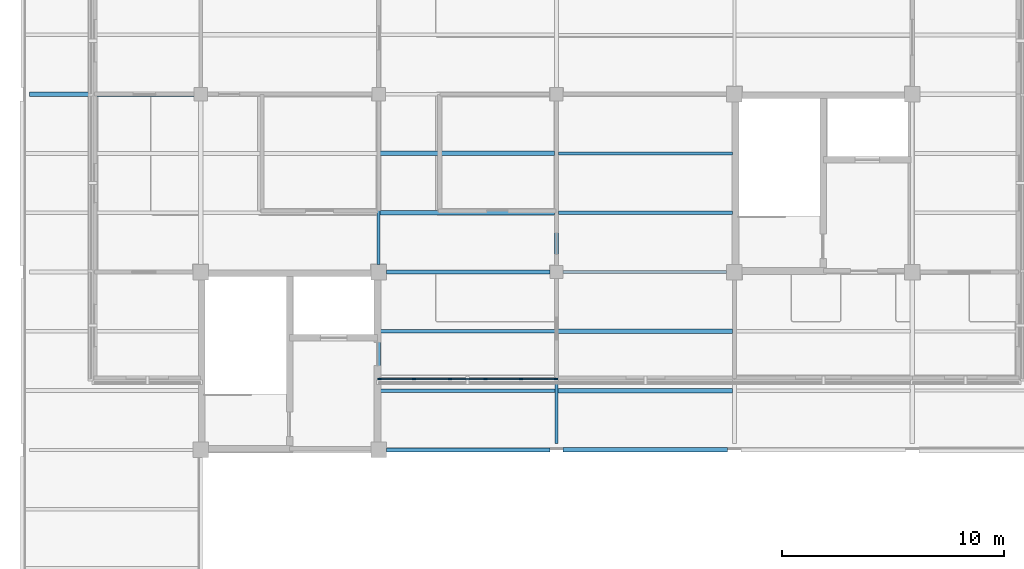
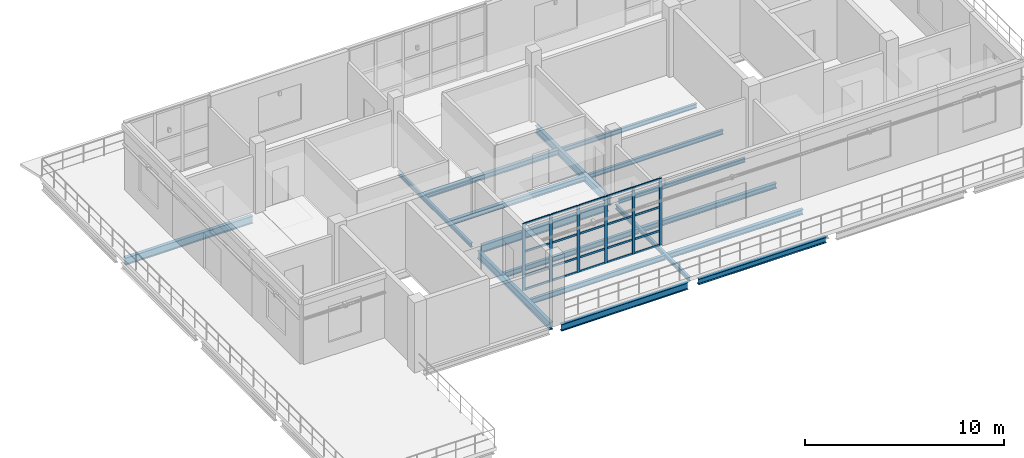
# One storey, part 3 of 24: 26 members, 17 beams, 1 element without a shape of its own.
"""IFC4 building model written with IfcOpenShell, lengths in metres."""

from ifc_helpers import new_model, si_unit, derived_unit, direction, frame, origin, origin_2d, place, context, subcontext, project, spatial, rectangle, i_section, extrude, material, layer, layer_set, material_profile, profile_set, type_object, element, aggregate, save


model = new_model("IFC4")

# Units and contexts
model_context = context("Model", 3, precision=1e-05, world=origin(), true_north=direction((0.0, 1.0)))
body_context = subcontext(model_context, "Body", "Model", "MODEL_VIEW")
ifc_project = project(units=[si_unit("LENGTHUNIT", "METRE"), si_unit("AREAUNIT", "SQUARE_METRE"), si_unit("VOLUMEUNIT", "CUBIC_METRE"), si_unit("PLANEANGLEUNIT", "RADIAN"), si_unit("MASSUNIT", "GRAM", prefix="KILO"), derived_unit("THERMALTRANSMITTANCEUNIT", [(si_unit("MASSUNIT", "GRAM", prefix="KILO"), 1), (si_unit("TIMEUNIT", "SECOND"), -3), (si_unit("THERMODYNAMICTEMPERATUREUNIT", "KELVIN"), -1)])], contexts=[model_context])

# Site, building, storey
site_placement = place(None, origin())
site = spatial("IfcSite", under=ifc_project, at=site_placement, CompositionType="ELEMENT")
building_placement = place(site_placement, origin())
building = spatial("IfcBuilding", under=site, at=building_placement, Name="Veyamyaing Civic Hall", CompositionType="ELEMENT")
storey_placement = place(building_placement, frame((0.0, 0.0, 25.739990234375)))
storey = spatial("IfcBuildingStorey", under=building, at=storey_placement, Name="L06", CompositionType="ELEMENT", Elevation=25.739990234375)

# Beams
ifc_material_1 = material(Name="Steel ASTM A992", Category="steel")
ifc_material_profile_1 = material_profile(ifc_material_1, i_section(OverallWidth=0.19189453125, OverallDepth=0.462890625, WebThickness=0.010498046875, FlangeThickness=0.017578125, FilletRadius=0.010009765625, at=origin_2d()), Name="W460X89")
ifc_profile_set_1 = profile_set([ifc_material_profile_1], Name="Steel ASTM A992")
beam_type_1 = type_object("IfcBeamType", Name="B-08", PredefinedType="BEAM", material=ifc_profile_set_1)
beam_1_placement = place(storey_placement, frame((24.0, 96.300048828125, -0.45654296875), z_axis=(0.0, 1.0, 0.0), x_axis=(-1.0, 0.0, 0.0)))
element("IfcBeam", 1, at=beam_1_placement, inside=storey, type_object=beam_type_1, Name="Girder B-08 L06 Grid 4 N-P", PredefinedType="BEAM", context=body_context, shape_type="SweptSolid", body=[
    extrude(i_section(OverallWidth=0.19189453125, OverallDepth=0.462890625, WebThickness=0.010498046875, FlangeThickness=0.017578125, FilletRadius=0.010009765625, at=origin_2d()), origin(), (0.0, 0.0, 1.0), 7.39990234375),
])
ifc_material_profile_2 = material_profile(ifc_material_1, i_section(OverallWidth=0.18994140625, OverallDepth=0.45703125, WebThickness=0.009033203125, FlangeThickness=0.014404296875, FilletRadius=0.010009765625, at=origin_2d()), Name="W460X74")
ifc_profile_set_2 = profile_set([ifc_material_profile_2], Name="Steel ASTM A992")
beam_type_2 = type_object("IfcBeamType", Name="B-09", PredefinedType="BEAM", material=ifc_profile_set_2)
beam_2_placement = place(storey_placement, frame((0.300048828125, 104.0, -0.45849609375), z_axis=(1.0, 0.0, 0.0), x_axis=(0.0, 1.0, 0.0)))
element("IfcBeam", 2, at=beam_2_placement, inside=storey, type_object=beam_type_2, Name="Girder B-09 L06 Grid P 1-2", PredefinedType="BEAM", context=body_context, shape_type="SweptSolid", body=[
    extrude(i_section(OverallWidth=0.18994140625, OverallDepth=0.45703125, WebThickness=0.009033203125, FlangeThickness=0.014404296875, FilletRadius=0.010009765625, at=origin_2d()), origin(), (0.0, 0.0, 1.0), 7.39990234375),
])
beam_3_placement = place(storey_placement, frame((16.0, 88.35009765625, -0.45849609375), z_axis=(0.0, 1.0, 0.0), x_axis=(-1.0, 0.0, 0.0)))
element("IfcBeam", 3, at=beam_3_placement, inside=storey, type_object=beam_type_2, Name="Girder B-09 L06 Grid 3 M-N", PredefinedType="BEAM", context=body_context, shape_type="SweptSolid", body=[
    extrude(i_section(OverallWidth=0.18994140625, OverallDepth=0.45703125, WebThickness=0.009033203125, FlangeThickness=0.014404296875, FilletRadius=0.010009765625, at=origin_2d()), origin(), (0.0, 0.0, 1.0), 7.2998046875),
])
ifc_material_profile_3 = material_profile(ifc_material_1, i_section(OverallWidth=0.179931640625, OverallDepth=0.4130859375, WebThickness=0.009765625, FlangeThickness=0.01611328125, FilletRadius=0.010009765625, at=origin_2d()), Name="W410X74")
ifc_profile_set_3 = profile_set([ifc_material_profile_3], Name="Steel ASTM A992")
beam_type_3 = type_object("IfcBeamType", Name="B-10", PredefinedType="SPANDREL", material=ifc_profile_set_3)
beam_4_placement = place(storey_placement, frame((16.35009765625, 88.0, -0.4365234375), z_axis=(1.0, 0.0, 0.0), x_axis=(0.0, 1.0, 0.0)))
element("IfcBeam", 4, at=beam_4_placement, inside=storey, type_object=beam_type_3, Name="Girder B-10 L06 Grid M 3-4", PredefinedType="SPANDREL", context=body_context, shape_type="SweptSolid", body=[
    extrude(i_section(OverallWidth=0.179931640625, OverallDepth=0.4130859375, WebThickness=0.009765625, FlangeThickness=0.01611328125, FilletRadius=0.010009765625, at=origin_2d()), origin(), (0.0, 0.0, 1.0), 7.349853515625),
])
ifc_material_profile_4 = material_profile(ifc_material_1, i_section(OverallWidth=0.2041015625, OverallDepth=0.35009765625, WebThickness=0.0078125, FlangeThickness=0.01513671875, FilletRadius=0.010009765625, at=origin_2d()), Name="W360X72")
ifc_profile_set_4 = profile_set([ifc_material_profile_4], Name="Steel ASTM A992")
beam_type_4 = type_object("IfcBeamType", Name="B-11", PredefinedType="SPANDREL", material=ifc_profile_set_4)
beam_5_placement = place(storey_placement, frame((24.300048828125, 88.0, -0.405029296875), z_axis=(1.0, 0.0, 0.0), x_axis=(0.0, 1.0, 0.0)))
element("IfcBeam", 5, at=beam_5_placement, inside=storey, type_object=beam_type_4, Name="Girder B-11 L06 Grid M 4-5", PredefinedType="SPANDREL", context=body_context, shape_type="SweptSolid", body=[
    extrude(i_section(OverallWidth=0.2041015625, OverallDepth=0.35009765625, WebThickness=0.0078125, FlangeThickness=0.01513671875, FilletRadius=0.010009765625, at=origin_2d()), origin(), (0.0, 0.0, 1.0), 7.39990234375),
])
ifc_material_profile_5 = material_profile(ifc_material_1, i_section(OverallWidth=0.14599609375, OverallDepth=0.258056640625, WebThickness=0.006103515625, FlangeThickness=0.009033203125, FilletRadius=0.010009765625, at=origin_2d()), Name="W250X33")
ifc_profile_set_5 = profile_set([ifc_material_profile_5], Name="Steel ASTM A992")
beam_type_5 = type_object("IfcBeamType", Name="B-12", PredefinedType="BEAM", material=ifc_profile_set_5)
for number, where, z_axis, x_axis, name in (
    (6, (24.300048828125, 96.0, -0.35400390625), (1.0, 0.0, 0.0), (0.0, 1.0, 0.0), "Girder B-12 L06 Grid N 4-5"),
    (7, (16.0, 96.35009765625, -0.35400390625), (0.0, 1.0, 0.0), (-1.0, 0.0, 0.0), "Girder B-12 L06 Grid 3 N-P"),
):
    element("IfcBeam", number, at=place(storey_placement, frame(where, z_axis=z_axis, x_axis=x_axis)), inside=storey, type_object=beam_type_5, Name=name, PredefinedType="BEAM", context=body_context, shape_type="SweptSolid", body=[
        extrude(i_section(OverallWidth=0.14599609375, OverallDepth=0.258056640625, WebThickness=0.006103515625, FlangeThickness=0.009033203125, FilletRadius=0.010009765625, at=origin_2d()), origin(), (0.0, 0.0, 1.0), 7.349853515625),
    ])
beam_6_placement = place(storey_placement, frame((24.0, 88.300048828125, -0.35888671875), z_axis=(0.0, 1.0, 0.0), x_axis=(-1.0, 0.0, 0.0)))
element("IfcBeam", 8, at=beam_6_placement, inside=storey, type_object=beam_type_5, Name="Girder B-12 L06 Grid 4 M-N", PredefinedType="BEAM", context=body_context, shape_type="SweptSolid", body=[
    extrude(i_section(OverallWidth=0.14599609375, OverallDepth=0.258056640625, WebThickness=0.006103515625, FlangeThickness=0.009033203125, FilletRadius=0.010009765625, at=origin_2d()), origin(), (0.0, 0.0, 1.0), 7.39990234375),
])
ifc_material_profile_6 = material_profile(ifc_material_1, i_section(OverallWidth=0.194091796875, OverallDepth=0.468994140625, WebThickness=0.0126953125, FlangeThickness=0.0205078125, FilletRadius=0.010009765625, at=origin_2d()), Name="W460X106")
ifc_profile_set_6 = profile_set([ifc_material_profile_6], Name="Steel ASTM A992")
beam_type_6 = type_object("IfcBeamType", Name="B-18", PredefinedType="BEAM", material=ifc_profile_set_6)
beam_7_placement = place(storey_placement, frame((16.35009765625, 96.0, -0.45947265625), z_axis=(1.0, 0.0, 0.0), x_axis=(0.0, 1.0, 0.0)))
element("IfcBeam", 9, at=beam_7_placement, inside=storey, type_object=beam_type_6, Name="Girder B-18 L06 Grid N 3-4", PredefinedType="BEAM", context=body_context, shape_type="SweptSolid", body=[
    extrude(i_section(OverallWidth=0.194091796875, OverallDepth=0.468994140625, WebThickness=0.0126953125, FlangeThickness=0.0205078125, FilletRadius=0.010009765625, at=origin_2d()), origin(), (0.0, 0.0, 1.0), 7.349853515625),
])

# Curtain wall, members
ifc_material_2 = material(Name="Anodised aluminium 6063-T6", Category="aluminium")
ifc_layer = layer(ifc_material_2, 0.159912109375, Name="Anodised aluminium 6063-T6")
ifc_layer_set = layer_set([ifc_layer], Name="Anodised aluminium 6063-T6")
curtain_wall_type = type_object("IfcCurtainWallType", Name="CW-05", PredefinedType="NOTDEFINED", material=ifc_layer_set)
curtain_wall_placement = place(storey_placement, origin())
curtain_wall = element("IfcCurtainWall", 10, at=curtain_wall_placement, inside=storey, type_object=curtain_wall_type, Name="Executive terrace curtain wall CW-05 L06-NW-S-2", PredefinedType="NOTDEFINED")
ifc_material_profile_7 = material_profile(ifc_material_2, rectangle(XDim=0.06494140625, YDim=0.159912109375, at=origin_2d()), Name="ALU-MUL-65X160")
ifc_profile_set_7 = profile_set([ifc_material_profile_7], Name="Anodised aluminium 6063-T6")
member_type_1 = type_object("IfcMemberType", Name="CWM-01", PredefinedType="MULLION", material=ifc_profile_set_7)
member_1_placement = place(storey_placement, frame((16.032470703125, 91.199951171875, 0.0), z_axis=(0.0, 0.0, 1.0), x_axis=(0.0, 1.0, 0.0)))
member_1 = element("IfcMember", 11, at=member_1_placement, type_object=member_type_1, Name="CW-05 mullion 1", PredefinedType="MULLION", context=body_context, shape_type="SweptSolid", body=[
    extrude(rectangle(XDim=0.06494140625, YDim=0.159912109375, at=origin_2d()), origin(), (0.0, 0.0, 1.0), 4.090087890625),
])
member_2_placement = place(storey_placement, frame((17.60009765625, 91.199951171875, 0.0), z_axis=(0.0, 0.0, 1.0), x_axis=(0.0, 1.0, 0.0)))
member_2 = element("IfcMember", 12, at=member_2_placement, type_object=member_type_1, Name="CW-05 mullion 2", PredefinedType="MULLION", context=body_context, shape_type="SweptSolid", body=[
    extrude(rectangle(XDim=0.06494140625, YDim=0.159912109375, at=origin_2d()), origin(), (0.0, 0.0, 1.0), 4.090087890625),
])
member_3_placement = place(storey_placement, frame((19.199951171875, 91.199951171875, 0.0), z_axis=(0.0, 0.0, 1.0), x_axis=(0.0, 1.0, 0.0)))
member_3 = element("IfcMember", 13, at=member_3_placement, type_object=member_type_1, Name="CW-05 mullion 3", PredefinedType="MULLION", context=body_context, shape_type="SweptSolid", body=[
    extrude(rectangle(XDim=0.06494140625, YDim=0.159912109375, at=origin_2d()), origin(), (0.0, 0.0, 1.0), 4.090087890625),
])
member_4_placement = place(storey_placement, frame((20.800048828125, 91.199951171875, 0.0), z_axis=(0.0, 0.0, 1.0), x_axis=(0.0, 1.0, 0.0)))
member_4 = element("IfcMember", 14, at=member_4_placement, type_object=member_type_1, Name="CW-05 mullion 4", PredefinedType="MULLION", context=body_context, shape_type="SweptSolid", body=[
    extrude(rectangle(XDim=0.06494140625, YDim=0.159912109375, at=origin_2d()), origin(), (0.0, 0.0, 1.0), 4.090087890625),
])
member_5_placement = place(storey_placement, frame((22.39990234375, 91.199951171875, 0.0), z_axis=(0.0, 0.0, 1.0), x_axis=(0.0, 1.0, 0.0)))
member_5 = element("IfcMember", 15, at=member_5_placement, type_object=member_type_1, Name="CW-05 mullion 5", PredefinedType="MULLION", context=body_context, shape_type="SweptSolid", body=[
    extrude(rectangle(XDim=0.06494140625, YDim=0.159912109375, at=origin_2d()), origin(), (0.0, 0.0, 1.0), 4.090087890625),
])
member_6_placement = place(storey_placement, frame((23.967529296875, 91.199951171875, 0.0), z_axis=(0.0, 0.0, 1.0), x_axis=(0.0, 1.0, 0.0)))
member_6 = element("IfcMember", 16, at=member_6_placement, type_object=member_type_1, Name="CW-05 mullion 6", PredefinedType="MULLION", context=body_context, shape_type="SweptSolid", body=[
    extrude(rectangle(XDim=0.06494140625, YDim=0.159912109375, at=origin_2d()), origin(), (0.0, 0.0, 1.0), 4.090087890625),
])
ifc_material_profile_8 = material_profile(ifc_material_2, rectangle(XDim=0.06494140625, YDim=0.1201171875, at=origin_2d()), Name="ALU-TRN-65X120")
ifc_profile_set_8 = profile_set([ifc_material_profile_8], Name="Anodised aluminium 6063-T6")
member_type_2 = type_object("IfcMemberType", Name="CWT-01", PredefinedType="USERDEFINED", material=ifc_profile_set_8)
member_7_placement = place(storey_placement, frame((16.06494140625, 91.199951171875, 0.032470703125), z_axis=(1.0, 0.0, 0.0), x_axis=(0.0, 1.0, 0.0)))
member_7 = element("IfcMember", 17, at=member_7_placement, type_object=member_type_2, Name="CW-05 transom 1.1", ObjectType="TRANSOM", PredefinedType="USERDEFINED", context=body_context, shape_type="SweptSolid", body=[
    extrude(rectangle(XDim=0.06494140625, YDim=0.1201171875, at=origin_2d()), origin(), (0.0, 0.0, 1.0), 1.50244140625),
])
member_8_placement = place(storey_placement, frame((16.06494140625, 91.199951171875, 0.89990234375), z_axis=(1.0, 0.0, 0.0), x_axis=(0.0, 1.0, 0.0)))
member_8 = element("IfcMember", 18, at=member_8_placement, type_object=member_type_2, Name="CW-05 transom 1.2", ObjectType="TRANSOM", PredefinedType="USERDEFINED", context=body_context, shape_type="SweptSolid", body=[
    extrude(rectangle(XDim=0.06494140625, YDim=0.1201171875, at=origin_2d()), origin(), (0.0, 0.0, 1.0), 1.50244140625),
])
member_9_placement = place(storey_placement, frame((16.06494140625, 91.199951171875, 2.35009765625), z_axis=(1.0, 0.0, 0.0), x_axis=(0.0, 1.0, 0.0)))
member_9 = element("IfcMember", 19, at=member_9_placement, type_object=member_type_2, Name="CW-05 transom 1.3", ObjectType="TRANSOM", PredefinedType="USERDEFINED", context=body_context, shape_type="SweptSolid", body=[
    extrude(rectangle(XDim=0.06494140625, YDim=0.1201171875, at=origin_2d()), origin(), (0.0, 0.0, 1.0), 1.50244140625),
])
member_10_placement = place(storey_placement, frame((16.06494140625, 91.199951171875, 4.0576171875), z_axis=(1.0, 0.0, 0.0), x_axis=(0.0, 1.0, 0.0)))
member_10 = element("IfcMember", 20, at=member_10_placement, type_object=member_type_2, Name="CW-05 transom 1.4", ObjectType="TRANSOM", PredefinedType="USERDEFINED", context=body_context, shape_type="SweptSolid", body=[
    extrude(rectangle(XDim=0.06494140625, YDim=0.1201171875, at=origin_2d()), origin(), (0.0, 0.0, 1.0), 1.50244140625),
])
member_11_placement = place(storey_placement, frame((17.632568359375, 91.199951171875, 0.032470703125), z_axis=(1.0, 0.0, 0.0), x_axis=(0.0, 1.0, 0.0)))
member_11 = element("IfcMember", 21, at=member_11_placement, type_object=member_type_2, Name="CW-05 transom 2.1", ObjectType="TRANSOM", PredefinedType="USERDEFINED", context=body_context, shape_type="SweptSolid", body=[
    extrude(rectangle(XDim=0.06494140625, YDim=0.1201171875, at=origin_2d()), origin(), (0.0, 0.0, 1.0), 1.534912109375),
])
member_12_placement = place(storey_placement, frame((17.632568359375, 91.199951171875, 0.89990234375), z_axis=(1.0, 0.0, 0.0), x_axis=(0.0, 1.0, 0.0)))
member_12 = element("IfcMember", 22, at=member_12_placement, type_object=member_type_2, Name="CW-05 transom 2.2", ObjectType="TRANSOM", PredefinedType="USERDEFINED", context=body_context, shape_type="SweptSolid", body=[
    extrude(rectangle(XDim=0.06494140625, YDim=0.1201171875, at=origin_2d()), origin(), (0.0, 0.0, 1.0), 1.534912109375),
])
member_13_placement = place(storey_placement, frame((17.632568359375, 91.199951171875, 2.35009765625), z_axis=(1.0, 0.0, 0.0), x_axis=(0.0, 1.0, 0.0)))
member_13 = element("IfcMember", 23, at=member_13_placement, type_object=member_type_2, Name="CW-05 transom 2.3", ObjectType="TRANSOM", PredefinedType="USERDEFINED", context=body_context, shape_type="SweptSolid", body=[
    extrude(rectangle(XDim=0.06494140625, YDim=0.1201171875, at=origin_2d()), origin(), (0.0, 0.0, 1.0), 1.534912109375),
])
member_14_placement = place(storey_placement, frame((17.632568359375, 91.199951171875, 4.0576171875), z_axis=(1.0, 0.0, 0.0), x_axis=(0.0, 1.0, 0.0)))
member_14 = element("IfcMember", 24, at=member_14_placement, type_object=member_type_2, Name="CW-05 transom 2.4", ObjectType="TRANSOM", PredefinedType="USERDEFINED", context=body_context, shape_type="SweptSolid", body=[
    extrude(rectangle(XDim=0.06494140625, YDim=0.1201171875, at=origin_2d()), origin(), (0.0, 0.0, 1.0), 1.534912109375),
])
member_15_placement = place(storey_placement, frame((19.232421875, 91.199951171875, 0.032470703125), z_axis=(1.0, 0.0, 0.0), x_axis=(0.0, 1.0, 0.0)))
member_15 = element("IfcMember", 25, at=member_15_placement, type_object=member_type_2, Name="CW-05 transom 3.1", ObjectType="TRANSOM", PredefinedType="USERDEFINED", context=body_context, shape_type="SweptSolid", body=[
    extrude(rectangle(XDim=0.06494140625, YDim=0.1201171875, at=origin_2d()), origin(), (0.0, 0.0, 1.0), 1.53515625),
])
member_16_placement = place(storey_placement, frame((19.232421875, 91.199951171875, 0.89990234375), z_axis=(1.0, 0.0, 0.0), x_axis=(0.0, 1.0, 0.0)))
member_16 = element("IfcMember", 26, at=member_16_placement, type_object=member_type_2, Name="CW-05 transom 3.2", ObjectType="TRANSOM", PredefinedType="USERDEFINED", context=body_context, shape_type="SweptSolid", body=[
    extrude(rectangle(XDim=0.06494140625, YDim=0.1201171875, at=origin_2d()), origin(), (0.0, 0.0, 1.0), 1.53515625),
])
member_17_placement = place(storey_placement, frame((19.232421875, 91.199951171875, 2.35009765625), z_axis=(1.0, 0.0, 0.0), x_axis=(0.0, 1.0, 0.0)))
member_17 = element("IfcMember", 27, at=member_17_placement, type_object=member_type_2, Name="CW-05 transom 3.3", ObjectType="TRANSOM", PredefinedType="USERDEFINED", context=body_context, shape_type="SweptSolid", body=[
    extrude(rectangle(XDim=0.06494140625, YDim=0.1201171875, at=origin_2d()), origin(), (0.0, 0.0, 1.0), 1.53515625),
])
member_18_placement = place(storey_placement, frame((19.232421875, 91.199951171875, 4.0576171875), z_axis=(1.0, 0.0, 0.0), x_axis=(0.0, 1.0, 0.0)))
member_18 = element("IfcMember", 28, at=member_18_placement, type_object=member_type_2, Name="CW-05 transom 3.4", ObjectType="TRANSOM", PredefinedType="USERDEFINED", context=body_context, shape_type="SweptSolid", body=[
    extrude(rectangle(XDim=0.06494140625, YDim=0.1201171875, at=origin_2d()), origin(), (0.0, 0.0, 1.0), 1.53515625),
])
member_19_placement = place(storey_placement, frame((20.83251953125, 91.199951171875, 0.032470703125), z_axis=(1.0, 0.0, 0.0), x_axis=(0.0, 1.0, 0.0)))
member_19 = element("IfcMember", 29, at=member_19_placement, type_object=member_type_2, Name="CW-05 transom 4.1", ObjectType="TRANSOM", PredefinedType="USERDEFINED", context=body_context, shape_type="SweptSolid", body=[
    extrude(rectangle(XDim=0.06494140625, YDim=0.1201171875, at=origin_2d()), origin(), (0.0, 0.0, 1.0), 1.534912109375),
])
member_20_placement = place(storey_placement, frame((20.83251953125, 91.199951171875, 0.89990234375), z_axis=(1.0, 0.0, 0.0), x_axis=(0.0, 1.0, 0.0)))
member_20 = element("IfcMember", 30, at=member_20_placement, type_object=member_type_2, Name="CW-05 transom 4.2", ObjectType="TRANSOM", PredefinedType="USERDEFINED", context=body_context, shape_type="SweptSolid", body=[
    extrude(rectangle(XDim=0.06494140625, YDim=0.1201171875, at=origin_2d()), origin(), (0.0, 0.0, 1.0), 1.534912109375),
])
member_21_placement = place(storey_placement, frame((20.83251953125, 91.199951171875, 2.35009765625), z_axis=(1.0, 0.0, 0.0), x_axis=(0.0, 1.0, 0.0)))
member_21 = element("IfcMember", 31, at=member_21_placement, type_object=member_type_2, Name="CW-05 transom 4.3", ObjectType="TRANSOM", PredefinedType="USERDEFINED", context=body_context, shape_type="SweptSolid", body=[
    extrude(rectangle(XDim=0.06494140625, YDim=0.1201171875, at=origin_2d()), origin(), (0.0, 0.0, 1.0), 1.534912109375),
])
member_22_placement = place(storey_placement, frame((20.83251953125, 91.199951171875, 4.0576171875), z_axis=(1.0, 0.0, 0.0), x_axis=(0.0, 1.0, 0.0)))
member_22 = element("IfcMember", 32, at=member_22_placement, type_object=member_type_2, Name="CW-05 transom 4.4", ObjectType="TRANSOM", PredefinedType="USERDEFINED", context=body_context, shape_type="SweptSolid", body=[
    extrude(rectangle(XDim=0.06494140625, YDim=0.1201171875, at=origin_2d()), origin(), (0.0, 0.0, 1.0), 1.534912109375),
])
member_23_placement = place(storey_placement, frame((22.4326171875, 91.199951171875, 0.032470703125), z_axis=(1.0, 0.0, 0.0), x_axis=(0.0, 1.0, 0.0)))
member_23 = element("IfcMember", 33, at=member_23_placement, type_object=member_type_2, Name="CW-05 transom 5.1", ObjectType="TRANSOM", PredefinedType="USERDEFINED", context=body_context, shape_type="SweptSolid", body=[
    extrude(rectangle(XDim=0.06494140625, YDim=0.1201171875, at=origin_2d()), origin(), (0.0, 0.0, 1.0), 1.50244140625),
])
member_24_placement = place(storey_placement, frame((22.4326171875, 91.199951171875, 0.89990234375), z_axis=(1.0, 0.0, 0.0), x_axis=(0.0, 1.0, 0.0)))
member_24 = element("IfcMember", 34, at=member_24_placement, type_object=member_type_2, Name="CW-05 transom 5.2", ObjectType="TRANSOM", PredefinedType="USERDEFINED", context=body_context, shape_type="SweptSolid", body=[
    extrude(rectangle(XDim=0.06494140625, YDim=0.1201171875, at=origin_2d()), origin(), (0.0, 0.0, 1.0), 1.50244140625),
])
member_25_placement = place(storey_placement, frame((22.4326171875, 91.199951171875, 2.35009765625), z_axis=(1.0, 0.0, 0.0), x_axis=(0.0, 1.0, 0.0)))
member_25 = element("IfcMember", 35, at=member_25_placement, type_object=member_type_2, Name="CW-05 transom 5.3", ObjectType="TRANSOM", PredefinedType="USERDEFINED", context=body_context, shape_type="SweptSolid", body=[
    extrude(rectangle(XDim=0.06494140625, YDim=0.1201171875, at=origin_2d()), origin(), (0.0, 0.0, 1.0), 1.50244140625),
])
member_26_placement = place(storey_placement, frame((22.4326171875, 91.199951171875, 4.0576171875), z_axis=(1.0, 0.0, 0.0), x_axis=(0.0, 1.0, 0.0)))
member_26 = element("IfcMember", 36, at=member_26_placement, type_object=member_type_2, Name="CW-05 transom 5.4", ObjectType="TRANSOM", PredefinedType="USERDEFINED", context=body_context, shape_type="SweptSolid", body=[
    extrude(rectangle(XDim=0.06494140625, YDim=0.1201171875, at=origin_2d()), origin(), (0.0, 0.0, 1.0), 1.50244140625),
])
aggregate(curtain_wall, [member_1, member_2, member_3, member_4, member_5, member_6, member_7, member_8, member_9, member_10, member_11, member_12, member_13, member_14, member_15, member_16, member_17, member_18, member_19, member_20, member_21, member_22, member_23, member_24, member_25, member_26])

# Beams
ifc_material_profile_9 = material_profile(ifc_material_1, i_section(OverallWidth=0.1650390625, OverallDepth=0.31005859375, WebThickness=0.005859375, FlangeThickness=0.009765625, FilletRadius=0.010009765625, at=origin_2d()), Name="W310X39")
ifc_profile_set_9 = profile_set([ifc_material_profile_9], Name="Steel ASTM A992")
beam_type_7 = type_object("IfcBeamType", Name="J-05", PredefinedType="JOIST", material=ifc_profile_set_9)
for number, where, z_axis, x_axis, name in (
    (37, (16.093017578125, 90.666748046875, -0.385009765625), (1.0, 0.0, 0.0), (0.0, 1.0, 0.0), "Composite floor joist J-05 L06 3.12.1"),
    (38, (16.093017578125, 93.333251953125, -0.385009765625), (1.0, 0.0, 0.0), (0.0, 1.0, 0.0), "Composite floor joist J-05 L06 3.12.2"),
):
    element("IfcBeam", number, at=place(storey_placement, frame(where, z_axis=z_axis, x_axis=x_axis)), inside=storey, type_object=beam_type_7, Name=name, PredefinedType="JOIST", context=body_context, shape_type="SweptSolid", body=[
        extrude(i_section(OverallWidth=0.1650390625, OverallDepth=0.31005859375, WebThickness=0.005859375, FlangeThickness=0.009765625, FilletRadius=0.010009765625, at=origin_2d()), origin(), (0.0, 0.0, 1.0), 7.8359375),
    ])
ifc_material_profile_10 = material_profile(ifc_material_1, i_section(OverallWidth=0.2041015625, OverallDepth=0.305908203125, WebThickness=0.008544921875, FlangeThickness=0.0146484375, FilletRadius=0.010009765625, at=origin_2d()), Name="W310X67")
ifc_profile_set_10 = profile_set([ifc_material_profile_10], Name="Steel ASTM A992")
beam_type_8 = type_object("IfcBeamType", Name="J-06", PredefinedType="JOIST", material=ifc_profile_set_10)
for number, where, z_axis, x_axis, name in (
    (39, (16.071044921875, 98.666748046875, -0.3779296875), (1.0, 0.0, 0.0), (0.0, 1.0, 0.0), "Composite floor joist J-06 L06 3.13.1"),
    (40, (16.071044921875, 101.333251953125, -0.3779296875), (1.0, 0.0, 0.0), (0.0, 1.0, 0.0), "Composite floor joist J-06 L06 3.13.2"),
    (41, (24.071044921875, 90.666748046875, -0.383056640625), (1.0, 0.0, 0.0), (0.0, 1.0, 0.0), "Composite floor joist J-06 L06 4.12.1"),
    (42, (24.071044921875, 93.333251953125, -0.383056640625), (1.0, 0.0, 0.0), (0.0, 1.0, 0.0), "Composite floor joist J-06 L06 4.12.2"),
):
    element("IfcBeam", number, at=place(storey_placement, frame(where, z_axis=z_axis, x_axis=x_axis)), inside=storey, type_object=beam_type_8, Name=name, PredefinedType="JOIST", context=body_context, shape_type="SweptSolid", body=[
        extrude(i_section(OverallWidth=0.2041015625, OverallDepth=0.305908203125, WebThickness=0.008544921875, FlangeThickness=0.0146484375, FilletRadius=0.010009765625, at=origin_2d()), origin(), (0.0, 0.0, 1.0), 7.8349609375),
    ])
ifc_material_profile_11 = material_profile(ifc_material_1, i_section(OverallWidth=0.14794921875, OverallDepth=0.26611328125, WebThickness=0.007568359375, FlangeThickness=0.012939453125, FilletRadius=0.010009765625, at=origin_2d()), Name="W250X45")
ifc_profile_set_11 = profile_set([ifc_material_profile_11], Name="Steel ASTM A992")
beam_type_9 = type_object("IfcBeamType", Name="J-07", PredefinedType="JOIST", material=ifc_profile_set_11)
for number, where, z_axis, x_axis, name in (
    (43, (24.093994140625, 98.666748046875, -0.35791015625), (1.0, 0.0, 0.0), (0.0, 1.0, 0.0), "Composite floor joist J-07 L06 4.13.1"),
    (44, (24.093994140625, 101.333251953125, -0.35791015625), (1.0, 0.0, 0.0), (0.0, 1.0, 0.0), "Composite floor joist J-07 L06 4.13.2"),
):
    element("IfcBeam", number, at=place(storey_placement, frame(where, z_axis=z_axis, x_axis=x_axis)), inside=storey, type_object=beam_type_9, Name=name, PredefinedType="JOIST", context=body_context, shape_type="SweptSolid", body=[
        extrude(i_section(OverallWidth=0.14794921875, OverallDepth=0.26611328125, WebThickness=0.007568359375, FlangeThickness=0.012939453125, FilletRadius=0.010009765625, at=origin_2d()), origin(), (0.0, 0.0, 1.0), 7.81298828125),
    ])

save(model, "model.ifc")
